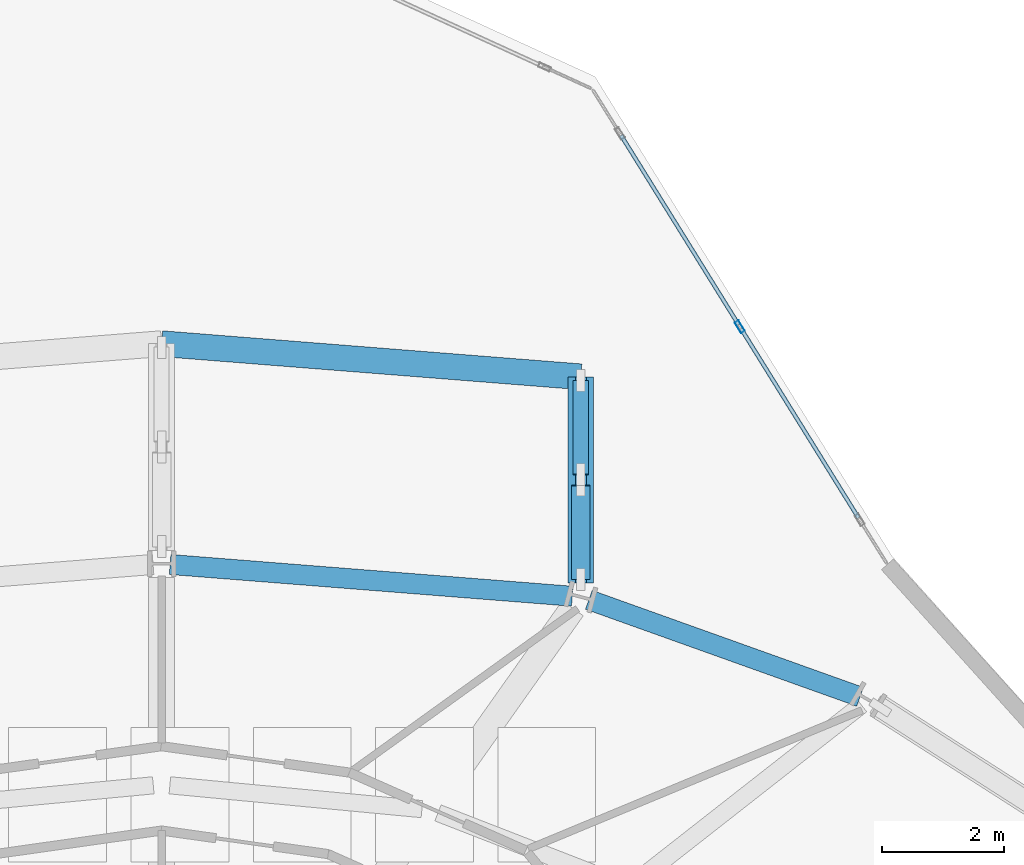
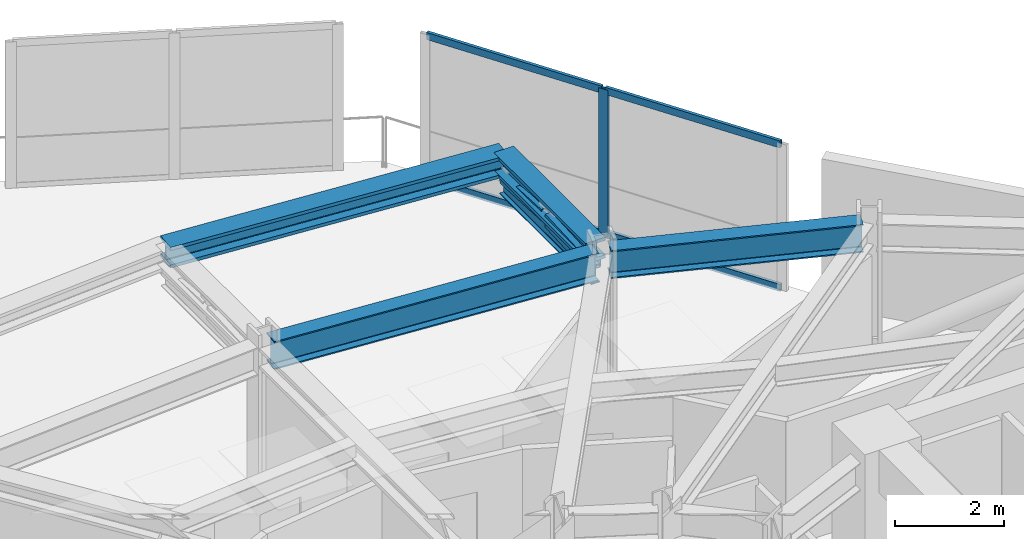
# One storey, part 14 of 24: 7 members, 5 beams, 1 element without a shape of its own.
"""IFC4 building model written with IfcOpenShell, lengths in metres."""

from ifc_helpers import new_model, si_unit, direction, frame, origin, origin_2d, place, context, subcontext, project, spatial, hollow_rectangle, i_section, extrude, material, layer, layer_set, material_profile, profile_set, type_object, element, aggregate, save


model = new_model("IFC4")

# Units and contexts
model_context = context("Model", 3, precision=1e-05, world=origin(), true_north=direction((0.0, 1.0)))
body_context = subcontext(model_context, "Body", "Model", "MODEL_VIEW")
ifc_project = project(units=[si_unit("LENGTHUNIT", "METRE"), si_unit("AREAUNIT", "SQUARE_METRE"), si_unit("VOLUMEUNIT", "CUBIC_METRE"), si_unit("PLANEANGLEUNIT", "RADIAN"), si_unit("MASSUNIT", "GRAM", prefix="KILO")], contexts=[model_context])

# Site, building, storey
site_placement = place(None, origin())
site = spatial("IfcSite", under=ifc_project, at=site_placement, CompositionType="ELEMENT")
building_placement = place(site_placement, origin())
building = spatial("IfcBuilding", under=site, at=building_placement, Name="Solvane Sanctuary Tower", CompositionType="ELEMENT")
storey_placement = place(building_placement, frame((0.0, 0.0, 246.0)))
storey = spatial("IfcBuildingStorey", under=building, at=storey_placement, Name="L75", CompositionType="ELEMENT", Elevation=246.0)

# Beams
ifc_material_1 = material(Name="Steel ASTM A913 Grade 65", Category="steel")
ifc_material_profile_1 = material_profile(ifc_material_1, i_section(OverallWidth=0.422119140625, OverallDepth=0.465087890625, WebThickness=0.044921875, FlangeThickness=0.072509765625, FilletRadius=0.02490234375, at=origin_2d()), Name="W14X398")
ifc_profile_set_1 = profile_set([ifc_material_profile_1], Name="Steel ASTM A913 Grade 65")
beam_type_1 = type_object("IfcBeamType", Name="Beam B-CANT-CH W14X398", PredefinedType="BEAM", material=ifc_profile_set_1)
beam_1_placement = place(storey_placement, frame((38.856201171875, 38.36669921875, 3.08544921875), z_axis=(0.0, 1.0, 0.0), x_axis=(-1.0, 0.0, 0.0)))
element("IfcBeam", 1, at=beam_1_placement, inside=storey, type_object=beam_type_1, Name="L75 Sky-Dining Truss Top Chord C03", PredefinedType="BEAM", context=body_context, shape_type="SweptSolid", body=[
    extrude(i_section(OverallWidth=0.422119140625, OverallDepth=0.465087890625, WebThickness=0.044921875, FlangeThickness=0.072509765625, FilletRadius=0.02490234375, at=origin_2d()), origin(), (0.0, 0.0, 1.0), 3.37158203125),
])
beam_2_placement = place(storey_placement, frame((32.0, 42.280029296875, 3.08544921875), z_axis=(0.996892795984, -0.078770256536, 0.0), x_axis=(0.078770256536, 0.996892795984, 0.0)))
element("IfcBeam", 2, at=beam_2_placement, inside=storey, type_object=beam_type_1, Name="L75 Sky-Dining Transverse Tie Beam 2", PredefinedType="BEAM", context=body_context, shape_type="SweptSolid", body=[
    extrude(i_section(OverallWidth=0.422119140625, OverallDepth=0.465087890625, WebThickness=0.044921875, FlangeThickness=0.072509765625, FilletRadius=0.02490234375, at=origin_2d()), origin(), (0.0, 0.0, 1.0), 6.877685546875),
])
ifc_material_2 = material(Name="Steel ASTM A992 Grade 50", Category="steel")
ifc_material_profile_2 = material_profile(ifc_material_2, i_section(OverallWidth=0.180908203125, OverallDepth=0.4169921875, WebThickness=0.010986328125, FlangeThickness=0.018310546875, FilletRadius=0.012939453125, at=origin_2d()), Name="W16X57")
ifc_profile_set_2 = profile_set([ifc_material_profile_2], Name="Steel ASTM A992 Grade 50")
beam_type_2 = type_object("IfcBeamType", Name="Beam B-ROOF-BM W16X57", PredefinedType="BEAM", material=ifc_profile_set_2)
beam_3_placement = place(storey_placement, frame((38.856201171875, 38.36669921875, 2.56005859375), z_axis=(0.0, 1.0, 0.0), x_axis=(-1.0, 0.0, 0.0)))
element("IfcBeam", 3, at=beam_3_placement, inside=storey, type_object=beam_type_2, Name="L75 Sky-Dining Truss Bottom Chord C03", PredefinedType="BEAM", context=body_context, shape_type="SweptSolid", body=[
    extrude(i_section(OverallWidth=0.180908203125, OverallDepth=0.4169921875, WebThickness=0.010986328125, FlangeThickness=0.018310546875, FilletRadius=0.012939453125, at=origin_2d()), origin(), (0.0, 0.0, 1.0), 3.37158203125),
])
ifc_material_profile_3 = material_profile(ifc_material_2, i_section(OverallWidth=0.327880859375, OverallDepth=0.6279296875, WebThickness=0.0166015625, FlangeThickness=0.027587890625, FilletRadius=0.01611328125, at=origin_2d()), Name="W24X146")
ifc_profile_set_3 = profile_set([ifc_material_profile_3], Name="Steel ASTM A992 Grade 50")
beam_type_3 = type_object("IfcBeamType", Name="Beam B-SPAND-Z3 W24X146", PredefinedType="SPANDREL", material=ifc_profile_set_3)
beam_4_placement = place(storey_placement, frame((32.1396484375, 38.6689453125, 3.00390625), z_axis=(0.996894556567, -0.078747971951, 0.0), x_axis=(0.078747971951, 0.996894556567, 0.0)))
element("IfcBeam", 4, at=beam_4_placement, inside=storey, type_object=beam_type_3, Name="L75 Perimeter Spandrel Beam TC04-TC03", PredefinedType="SPANDREL", context=body_context, shape_type="SweptSolid", body=[
    extrude(i_section(OverallWidth=0.327880859375, OverallDepth=0.6279296875, WebThickness=0.0166015625, FlangeThickness=0.027587890625, FilletRadius=0.01611328125, at=origin_2d()), origin(), (0.0, 0.0, 1.0), 6.597412109375),
])
beam_5_placement = place(storey_placement, frame((38.98779296875, 38.091064453125, 3.00390625), z_axis=(0.941570600413, -0.336815683184, 0.0), x_axis=(0.336815683184, 0.941570600413, 0.0)))
element("IfcBeam", 5, at=beam_5_placement, inside=storey, type_object=beam_type_3, Name="L75 Perimeter Spandrel Beam TC03-TC02", PredefinedType="SPANDREL", context=body_context, shape_type="SweptSolid", body=[
    extrude(i_section(OverallWidth=0.327880859375, OverallDepth=0.6279296875, WebThickness=0.0166015625, FlangeThickness=0.027587890625, FilletRadius=0.01611328125, at=origin_2d()), origin(), (0.0, 0.0, 1.0), 4.710693359375),
])

# Members
ifc_material_profile_4 = material_profile(ifc_material_1, hollow_rectangle(XDim=0.300048828125, YDim=0.300048828125, WallThickness=0.012451171875, at=origin_2d()), Name="HSS300X300X12.5")
ifc_profile_set_4 = profile_set([ifc_material_profile_4], Name="Steel ASTM A913 Grade 65")
member_type_1 = type_object("IfcMemberType", Name="Member M-CANT-DIAG HSS300X300X12.5", PredefinedType="STRUT", material=ifc_profile_set_4)
member_1_placement = place(storey_placement, frame((38.856201171875, 38.431640625, 2.768798828125), z_axis=(0.0, 0.998634932523, 0.052232858853), x_axis=(-1.0, 0.0, 0.0)))
element("IfcMember", 6, at=member_1_placement, inside=storey, type_object=member_type_1, Name="L75 Sky-Dining Truss Diagonal C03-P1", PredefinedType="STRUT", context=body_context, shape_type="SweptSolid", body=[
    extrude(hollow_rectangle(XDim=0.300048828125, YDim=0.300048828125, WallThickness=0.012451171875, at=origin_2d()), origin(), (0.0, 0.0, 1.0), 1.533203125),
])
ifc_material_profile_5 = material_profile(ifc_material_1, hollow_rectangle(XDim=0.25, YDim=0.25, WallThickness=0.012451171875, at=origin_2d()), Name="HSS250X250X12.5")
ifc_profile_set_5 = profile_set([ifc_material_profile_5], Name="Steel ASTM A913 Grade 65")
member_type_2 = type_object("IfcMemberType", Name="Member M-CANT-POST HSS250X250X12.5", PredefinedType="POST", material=ifc_profile_set_5)
member_2_placement = place(storey_placement, frame((38.856201171875, 40.142333984375, 2.848876953125), z_axis=(0.0, 0.998634932523, -0.052232858853), x_axis=(-1.0, 0.0, 0.0)))
element("IfcMember", 7, at=member_2_placement, inside=storey, type_object=member_type_2, Name="L75 Sky-Dining Truss Web Post C03-P1", PredefinedType="POST", context=body_context, shape_type="SweptSolid", body=[
    extrude(hollow_rectangle(XDim=0.25, YDim=0.25, WallThickness=0.012451171875, at=origin_2d()), origin(), (0.0, 0.0, 1.0), 1.533203125),
])

# Curtain wall, members
ifc_material_3 = material(Name="Anodised Aluminium 6063-T6", Category="aluminium")
ifc_layer = layer(ifc_material_3, 0.18994140625, Name="Anodised Aluminium 6063-T6")
ifc_layer_set = layer_set([ifc_layer], Name="Anodised Aluminium 6063-T6")
curtain_wall_type = type_object("IfcCurtainWallType", Name="Curtain Wall CW-OPER", PredefinedType="NOTDEFINED", material=ifc_layer_set)
curtain_wall_placement = place(storey_placement, origin())
curtain_wall = element("IfcCurtainWall", 8, at=curtain_wall_placement, inside=storey, type_object=curtain_wall_type, Name="L75 CW-OPER Facade Run 04", PredefinedType="NOTDEFINED")
ifc_material_profile_6 = material_profile(ifc_material_3, hollow_rectangle(XDim=0.074951171875, YDim=0.199951171875, WallThickness=0.00390625, at=origin_2d()), Name="ALU200X75X4")
ifc_profile_set_6 = profile_set([ifc_material_profile_6], Name="Anodised Aluminium 6063-T6")
member_type_3 = type_object("IfcMemberType", Name="Member M-CW-MUL-1 ALU200X75X4", PredefinedType="MULLION", material=ifc_profile_set_6)
member_3_placement = place(storey_placement, frame((41.45654296875, 42.558349609375, 0.0), z_axis=(0.0, 0.0, 1.0), x_axis=(-0.849622273102, -0.527391688453, 0.0)))
member_3 = element("IfcMember", 9, at=member_3_placement, type_object=member_type_3, Name="CW-OPER mullion 2", PredefinedType="MULLION", context=body_context, shape_type="SweptSolid", body=[
    extrude(hollow_rectangle(XDim=0.074951171875, YDim=0.199951171875, WallThickness=0.00390625, at=origin_2d()), origin(), (0.0, 0.0, 1.0), 3.280029296875),
])
ifc_material_profile_7 = material_profile(ifc_material_3, hollow_rectangle(XDim=0.06494140625, YDim=0.159912109375, WallThickness=0.00341796875, at=origin_2d()), Name="ALU160X65X3.5")
ifc_profile_set_7 = profile_set([ifc_material_profile_7], Name="Anodised Aluminium 6063-T6")
member_type_4 = type_object("IfcMemberType", Name="Member M-CW-TRN-1 ALU160X65X3.5", PredefinedType="USERDEFINED", material=ifc_profile_set_7)
member_4_placement = place(storey_placement, frame((43.39794921875, 39.430419921875, 0.032470703125), z_axis=(-0.527364529612, 0.849639130989, 0.0), x_axis=(-0.849639130989, -0.527364529612, 0.0)))
member_4 = element("IfcMember", 10, at=member_4_placement, type_object=member_type_4, Name="CW-OPER transom 1.1", ObjectType="TRANSOM", PredefinedType="USERDEFINED", context=body_context, shape_type="SweptSolid", body=[
    extrude(hollow_rectangle(XDim=0.06494140625, YDim=0.159912109375, WallThickness=0.00341796875, at=origin_2d()), origin(), (0.0, 0.0, 1.0), 3.643798828125),
])
member_5_placement = place(storey_placement, frame((43.39794921875, 39.430419921875, 3.24755859375), z_axis=(-0.527364529612, 0.849639130989, 0.0), x_axis=(-0.849639130989, -0.527364529612, 0.0)))
member_5 = element("IfcMember", 11, at=member_5_placement, type_object=member_type_4, Name="CW-OPER transom 1.2", ObjectType="TRANSOM", PredefinedType="USERDEFINED", context=body_context, shape_type="SweptSolid", body=[
    extrude(hollow_rectangle(XDim=0.06494140625, YDim=0.159912109375, WallThickness=0.00341796875, at=origin_2d()), origin(), (0.0, 0.0, 1.0), 3.643798828125),
])
member_6_placement = place(storey_placement, frame((41.436767578125, 42.590087890625, 0.032470703125), z_axis=(-0.527364529612, 0.849639130989, 0.0), x_axis=(-0.849639130989, -0.527364529612, 0.0)))
member_6 = element("IfcMember", 12, at=member_6_placement, type_object=member_type_4, Name="CW-OPER transom 2.1", ObjectType="TRANSOM", PredefinedType="USERDEFINED", context=body_context, shape_type="SweptSolid", body=[
    extrude(hollow_rectangle(XDim=0.06494140625, YDim=0.159912109375, WallThickness=0.00341796875, at=origin_2d()), origin(), (0.0, 0.0, 1.0), 3.643798828125),
])
member_7_placement = place(storey_placement, frame((41.436767578125, 42.590087890625, 3.24755859375), z_axis=(-0.527364529612, 0.849639130989, 0.0), x_axis=(-0.849639130989, -0.527364529612, 0.0)))
member_7 = element("IfcMember", 13, at=member_7_placement, type_object=member_type_4, Name="CW-OPER transom 2.2", ObjectType="TRANSOM", PredefinedType="USERDEFINED", context=body_context, shape_type="SweptSolid", body=[
    extrude(hollow_rectangle(XDim=0.06494140625, YDim=0.159912109375, WallThickness=0.00341796875, at=origin_2d()), origin(), (0.0, 0.0, 1.0), 3.643798828125),
])
aggregate(curtain_wall, [member_3, member_4, member_5, member_6, member_7])

save(model, "model.ifc")
